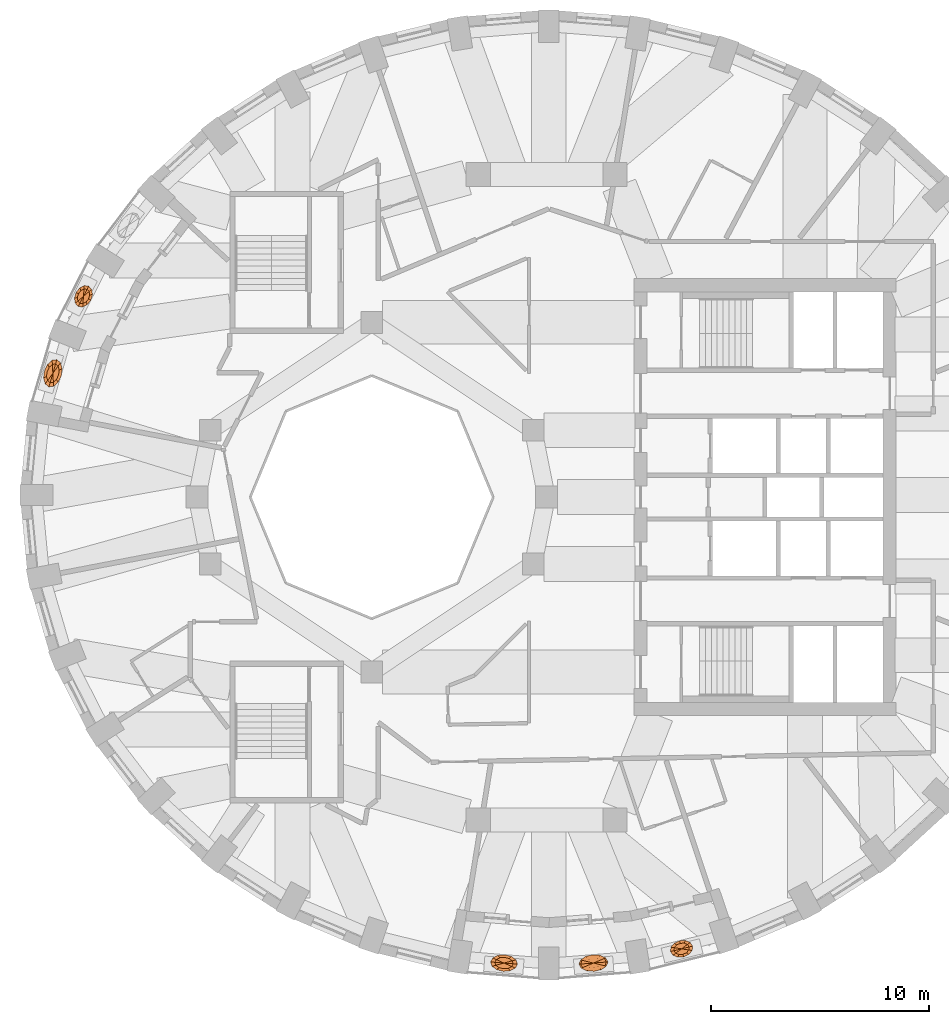
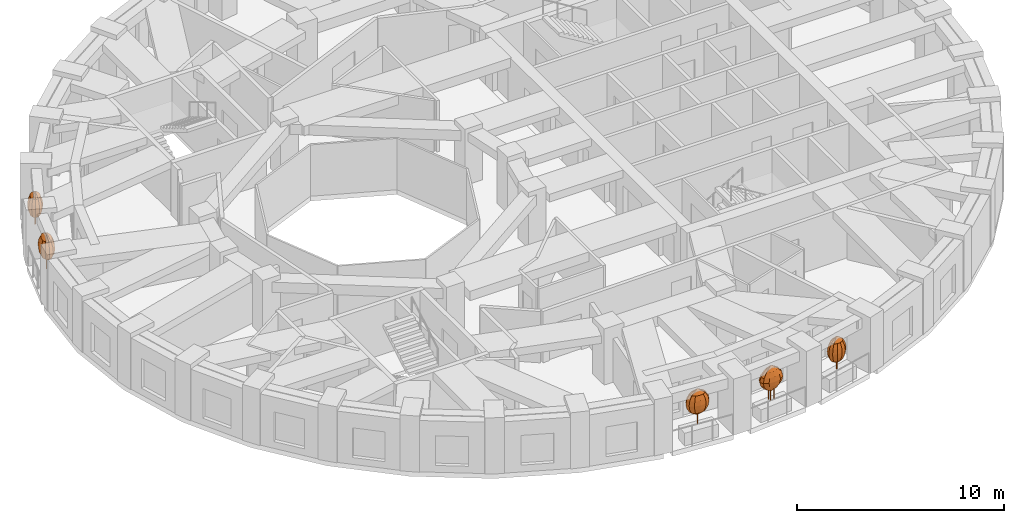
# One storey, part 10 of 11: 5 geographic elements.
"""IFC4 building model written with IfcOpenShell, lengths in metres."""

from ifc_helpers import new_model, si_unit, direction, frame, origin, place, context, subcontext, project, spatial, faceted_brep, material, constituent, constituent_set, type_object, element, save


model = new_model("IFC4")

# Units and contexts
model_context = context("Model", 3, precision=1e-05, world=origin(), true_north=direction((0.0, 1.0)))
body_context = subcontext(model_context, "Body", "Model", "MODEL_VIEW")
ifc_project = project(units=[si_unit("LENGTHUNIT", "METRE"), si_unit("AREAUNIT", "SQUARE_METRE"), si_unit("VOLUMEUNIT", "CUBIC_METRE"), si_unit("PLANEANGLEUNIT", "RADIAN"), si_unit("MASSUNIT", "GRAM", prefix="KILO")], contexts=[model_context])

# Site, building, storey
site_placement = place(None, origin())
site = spatial("IfcSite", under=ifc_project, at=site_placement, CompositionType="ELEMENT")
building_placement = place(site_placement, origin())
building = spatial("IfcBuilding", under=site, at=building_placement, Name="Taillehof Tower", CompositionType="ELEMENT")
storey_placement = place(building_placement, frame((0.0, 0.0, 155.0)))
storey = spatial("IfcBuildingStorey", under=building, at=storey_placement, Name="L43", CompositionType="ELEMENT", Elevation=155.0)

# Geographic elements
ifc_material_1 = material(Name="Tree bark", Category="timber")
ifc_constituent_1 = constituent(ifc_material_1, Name="Trunk", Category="timber")
ifc_material_2 = material(Name="Tree foliage")
ifc_constituent_2 = constituent(ifc_material_2, Name="Crown")
ifc_constituent_set_1 = constituent_set(constituents=[ifc_constituent_1, ifc_constituent_2], Name="Tree TR1 Columnar hornbeam")
geographic_element_type_1 = type_object("IfcGeographicElementType", Name="Tree TR1 Columnar hornbeam", PredefinedType="USERDEFINED", material=ifc_constituent_set_1)
geographic_element_1_placement = place(storey_placement, frame((-1.947265625, -21.32421875, 0.75)))
element("IfcGeographicElement", 1, at=geographic_element_1_placement, inside=storey, type_object=geographic_element_type_1, Name="Tree TR1 Columnar hornbeam", ObjectType="TREE", PredefinedType="USERDEFINED", context=body_context, shape_type="Brep", body=[
    faceted_brep([(0.030029296875, 0.0, 0.0), (0.021240234375, 0.021240234375, 0.0), (0.021240234375, 0.021240234375, 1.092529296875), (0.030029296875, 0.0, 1.092529296875), (0.0, 0.030029296875, 0.0), (0.0, 0.030029296875, 1.092529296875), (-0.021240234375, 0.021240234375, 0.0), (-0.021240234375, 0.021240234375, 1.092529296875), (-0.030029296875, 0.0, 0.0), (-0.030029296875, 0.0, 1.092529296875), (-0.021240234375, -0.021240234375, 0.0), (-0.021240234375, -0.021240234375, 1.092529296875), (0.0, -0.030029296875, 0.0), (0.0, -0.030029296875, 1.092529296875), (0.021240234375, -0.021240234375, 0.0), (0.021240234375, -0.021240234375, 1.092529296875)], [[[0, 1, 2, 3]], [[1, 4, 5, 2]], [[4, 6, 7, 5]], [[6, 8, 9, 7]], [[8, 10, 11, 9]], [[10, 12, 13, 11]], [[12, 14, 15, 13]], [[14, 0, 3, 15]], [[14, 12, 10, 8, 6, 4, 1, 0]], [[3, 2, 5, 7, 9, 11, 13, 15]]]),
    faceted_brep([(0.0, 0.0, 0.550048828125), (0.37451171875, 0.10009765625, 0.808349609375), (0.42041015625, -0.03369140625, 0.808349609375), (0.22802734375, 0.207275390625, 0.808349609375), (0.020751953125, 0.2587890625, 0.808349609375), (-0.1923828125, 0.240966796875, 0.808349609375), (-0.353759765625, 0.158447265625, 0.808349609375), (-0.42041015625, 0.03369140625, 0.808349609375), (-0.37451171875, -0.10009765625, 0.808349609375), (-0.22802734375, -0.207275390625, 0.808349609375), (-0.020751953125, -0.2587890625, 0.808349609375), (0.1923828125, -0.240966796875, 0.808349609375), (0.353759765625, -0.158447265625, 0.808349609375), (0.506591796875, 0.135498046875, 1.066650390625), (0.568603515625, -0.04541015625, 1.066650390625), (0.30859375, 0.2802734375, 1.066650390625), (0.028076171875, 0.35009765625, 1.066650390625), (-0.260009765625, 0.325927734375, 1.066650390625), (-0.478515625, 0.21435546875, 1.066650390625), (-0.568603515625, 0.04541015625, 1.066650390625), (-0.506591796875, -0.135498046875, 1.066650390625), (-0.30859375, -0.2802734375, 1.066650390625), (-0.028076171875, -0.35009765625, 1.066650390625), (0.260009765625, -0.325927734375, 1.066650390625), (0.478515625, -0.21435546875, 1.066650390625), (0.54833984375, 0.146728515625, 1.324951171875), (0.615478515625, -0.04931640625, 1.324951171875), (0.333984375, 0.303466796875, 1.324951171875), (0.0302734375, 0.37890625, 1.324951171875), (-0.281494140625, 0.352783203125, 1.324951171875), (-0.517822265625, 0.232177734375, 1.324951171875), (-0.615478515625, 0.04931640625, 1.324951171875), (-0.54833984375, -0.146728515625, 1.324951171875), (-0.333984375, -0.303466796875, 1.324951171875), (-0.0302734375, -0.37890625, 1.324951171875), (0.281494140625, -0.352783203125, 1.324951171875), (0.517822265625, -0.232177734375, 1.324951171875), (0.506591796875, 0.135498046875, 1.583251953125), (0.568603515625, -0.04541015625, 1.583251953125), (0.30859375, 0.2802734375, 1.583251953125), (0.028076171875, 0.35009765625, 1.583251953125), (-0.260009765625, 0.325927734375, 1.583251953125), (-0.478515625, 0.21435546875, 1.583251953125), (-0.568603515625, 0.04541015625, 1.583251953125), (-0.506591796875, -0.135498046875, 1.583251953125), (-0.30859375, -0.2802734375, 1.583251953125), (-0.028076171875, -0.35009765625, 1.583251953125), (0.260009765625, -0.325927734375, 1.583251953125), (0.478515625, -0.21435546875, 1.583251953125), (0.37451171875, 0.10009765625, 1.841552734375), (0.42041015625, -0.03369140625, 1.841552734375), (0.22802734375, 0.207275390625, 1.841552734375), (0.020751953125, 0.2587890625, 1.841552734375), (-0.1923828125, 0.240966796875, 1.841552734375), (-0.353759765625, 0.158447265625, 1.841552734375), (-0.42041015625, 0.03369140625, 1.841552734375), (-0.37451171875, -0.10009765625, 1.841552734375), (-0.22802734375, -0.207275390625, 1.841552734375), (-0.020751953125, -0.2587890625, 1.841552734375), (0.1923828125, -0.240966796875, 1.841552734375), (0.353759765625, -0.158447265625, 1.841552734375), (0.0, 0.0, 2.10009765625)], [[[0, 1, 2]], [[0, 3, 1]], [[0, 4, 3]], [[0, 5, 4]], [[0, 6, 5]], [[0, 7, 6]], [[0, 8, 7]], [[0, 9, 8]], [[0, 10, 9]], [[0, 11, 10]], [[0, 12, 11]], [[0, 2, 12]], [[2, 1, 13, 14]], [[1, 3, 15, 13]], [[3, 4, 16, 15]], [[4, 5, 17, 16]], [[5, 6, 18, 17]], [[6, 7, 19, 18]], [[7, 8, 20, 19]], [[8, 9, 21, 20]], [[9, 10, 22, 21]], [[10, 11, 23, 22]], [[11, 12, 24, 23]], [[12, 2, 14, 24]], [[14, 13, 25, 26]], [[13, 15, 27, 25]], [[15, 16, 28, 27]], [[16, 17, 29, 28]], [[17, 18, 30, 29]], [[18, 19, 31, 30]], [[19, 20, 32, 31]], [[20, 21, 33, 32]], [[21, 22, 34, 33]], [[22, 23, 35, 34]], [[23, 24, 36, 35]], [[24, 14, 26, 36]], [[26, 25, 37, 38]], [[25, 27, 39, 37]], [[27, 28, 40, 39]], [[28, 29, 41, 40]], [[29, 30, 42, 41]], [[30, 31, 43, 42]], [[31, 32, 44, 43]], [[32, 33, 45, 44]], [[33, 34, 46, 45]], [[34, 35, 47, 46]], [[35, 36, 48, 47]], [[36, 26, 38, 48]], [[38, 37, 49, 50]], [[37, 39, 51, 49]], [[39, 40, 52, 51]], [[40, 41, 53, 52]], [[41, 42, 54, 53]], [[42, 43, 55, 54]], [[43, 44, 56, 55]], [[44, 45, 57, 56]], [[45, 46, 58, 57]], [[46, 47, 59, 58]], [[47, 48, 60, 59]], [[48, 38, 50, 60]], [[50, 49, 61]], [[49, 51, 61]], [[51, 52, 61]], [[52, 53, 61]], [[53, 54, 61]], [[54, 55, 61]], [[55, 56, 61]], [[56, 57, 61]], [[57, 58, 61]], [[58, 59, 61]], [[59, 60, 61]], [[60, 50, 61]]]),
])
geographic_element_2_placement = place(storey_placement, frame((-22.59619140625, 5.668212890625, 0.75)))
element("IfcGeographicElement", 2, at=geographic_element_2_placement, inside=storey, type_object=geographic_element_type_1, Name="Tree TR1 Columnar hornbeam", ObjectType="TREE", PredefinedType="USERDEFINED", context=body_context, shape_type="Brep", body=[
    faceted_brep([(0.030029296875, 0.0, 0.0), (0.021240234375, 0.021240234375, 0.0), (0.021240234375, 0.021240234375, 1.092529296875), (0.030029296875, 0.0, 1.092529296875), (0.0, 0.030029296875, 0.0), (0.0, 0.030029296875, 1.092529296875), (-0.021240234375, 0.021240234375, 0.0), (-0.021240234375, 0.021240234375, 1.092529296875), (-0.030029296875, 0.0, 0.0), (-0.030029296875, 0.0, 1.092529296875), (-0.021240234375, -0.021240234375, 0.0), (-0.021240234375, -0.021240234375, 1.092529296875), (0.0, -0.030029296875, 0.0), (0.0, -0.030029296875, 1.092529296875), (0.021240234375, -0.021240234375, 0.0), (0.021240234375, -0.021240234375, 1.092529296875)], [[[0, 1, 2, 3]], [[1, 4, 5, 2]], [[4, 6, 7, 5]], [[6, 8, 9, 7]], [[8, 10, 11, 9]], [[10, 12, 13, 11]], [[12, 14, 15, 13]], [[14, 0, 3, 15]], [[14, 12, 10, 8, 6, 4, 1, 0]], [[3, 2, 5, 7, 9, 11, 13, 15]]]),
    faceted_brep([(0.0, 0.0, 0.550048828125), (0.02294921875, -0.407470703125, 0.808349609375), (-0.124755859375, -0.426025390625, 0.808349609375), (0.16455078125, -0.279541015625, 0.808349609375), (0.26220703125, -0.076904296875, 0.808349609375), (0.28955078125, 0.146484375, 0.808349609375), (0.2392578125, 0.33056640625, 0.808349609375), (0.124755859375, 0.426025390625, 0.808349609375), (-0.02294921875, 0.407470703125, 0.808349609375), (-0.16455078125, 0.279541015625, 0.808349609375), (-0.26220703125, 0.076904296875, 0.808349609375), (-0.28955078125, -0.146484375, 0.808349609375), (-0.2392578125, -0.33056640625, 0.808349609375), (0.03125, -0.551025390625, 1.066650390625), (-0.168701171875, -0.576416015625, 1.066650390625), (0.22265625, -0.378173828125, 1.066650390625), (0.354736328125, -0.10400390625, 1.066650390625), (0.3916015625, 0.1982421875, 1.066650390625), (0.323486328125, 0.447265625, 1.066650390625), (0.168701171875, 0.576416015625, 1.066650390625), (-0.03125, 0.551025390625, 1.066650390625), (-0.22265625, 0.378173828125, 1.066650390625), (-0.354736328125, 0.10400390625, 1.066650390625), (-0.3916015625, -0.1982421875, 1.066650390625), (-0.323486328125, -0.447265625, 1.066650390625), (0.03369140625, -0.596435546875, 1.324951171875), (-0.1826171875, -0.623779296875, 1.324951171875), (0.2412109375, -0.4091796875, 1.324951171875), (0.3837890625, -0.112548828125, 1.324951171875), (0.423828125, 0.214599609375, 1.324951171875), (0.35009765625, 0.48388671875, 1.324951171875), (0.1826171875, 0.623779296875, 1.324951171875), (-0.03369140625, 0.596435546875, 1.324951171875), (-0.2412109375, 0.4091796875, 1.324951171875), (-0.3837890625, 0.112548828125, 1.324951171875), (-0.423828125, -0.214599609375, 1.324951171875), (-0.35009765625, -0.48388671875, 1.324951171875), (0.03125, -0.551025390625, 1.583251953125), (-0.168701171875, -0.576416015625, 1.583251953125), (0.22265625, -0.378173828125, 1.583251953125), (0.354736328125, -0.10400390625, 1.583251953125), (0.3916015625, 0.1982421875, 1.583251953125), (0.323486328125, 0.447265625, 1.583251953125), (0.168701171875, 0.576416015625, 1.583251953125), (-0.03125, 0.551025390625, 1.583251953125), (-0.22265625, 0.378173828125, 1.583251953125), (-0.354736328125, 0.10400390625, 1.583251953125), (-0.3916015625, -0.1982421875, 1.583251953125), (-0.323486328125, -0.447265625, 1.583251953125), (0.02294921875, -0.407470703125, 1.841552734375), (-0.124755859375, -0.426025390625, 1.841552734375), (0.16455078125, -0.279541015625, 1.841552734375), (0.26220703125, -0.076904296875, 1.841552734375), (0.28955078125, 0.146484375, 1.841552734375), (0.2392578125, 0.33056640625, 1.841552734375), (0.124755859375, 0.426025390625, 1.841552734375), (-0.02294921875, 0.407470703125, 1.841552734375), (-0.16455078125, 0.279541015625, 1.841552734375), (-0.26220703125, 0.076904296875, 1.841552734375), (-0.28955078125, -0.146484375, 1.841552734375), (-0.2392578125, -0.33056640625, 1.841552734375), (0.0, 0.0, 2.10009765625)], [[[0, 1, 2]], [[0, 3, 1]], [[0, 4, 3]], [[0, 5, 4]], [[0, 6, 5]], [[0, 7, 6]], [[0, 8, 7]], [[0, 9, 8]], [[0, 10, 9]], [[0, 11, 10]], [[0, 12, 11]], [[0, 2, 12]], [[2, 1, 13, 14]], [[1, 3, 15, 13]], [[3, 4, 16, 15]], [[4, 5, 17, 16]], [[5, 6, 18, 17]], [[6, 7, 19, 18]], [[7, 8, 20, 19]], [[8, 9, 21, 20]], [[9, 10, 22, 21]], [[10, 11, 23, 22]], [[11, 12, 24, 23]], [[12, 2, 14, 24]], [[14, 13, 25, 26]], [[13, 15, 27, 25]], [[15, 16, 28, 27]], [[16, 17, 29, 28]], [[17, 18, 30, 29]], [[18, 19, 31, 30]], [[19, 20, 32, 31]], [[20, 21, 33, 32]], [[21, 22, 34, 33]], [[22, 23, 35, 34]], [[23, 24, 36, 35]], [[24, 14, 26, 36]], [[26, 25, 37, 38]], [[25, 27, 39, 37]], [[27, 28, 40, 39]], [[28, 29, 41, 40]], [[29, 30, 42, 41]], [[30, 31, 43, 42]], [[31, 32, 44, 43]], [[32, 33, 45, 44]], [[33, 34, 46, 45]], [[34, 35, 47, 46]], [[35, 36, 48, 47]], [[36, 26, 38, 48]], [[38, 37, 49, 50]], [[37, 39, 51, 49]], [[39, 40, 52, 51]], [[40, 41, 53, 52]], [[41, 42, 54, 53]], [[42, 43, 55, 54]], [[43, 44, 56, 55]], [[44, 45, 57, 56]], [[45, 46, 58, 57]], [[46, 47, 59, 58]], [[47, 48, 60, 59]], [[48, 38, 50, 60]], [[50, 49, 61]], [[49, 51, 61]], [[51, 52, 61]], [[52, 53, 61]], [[53, 54, 61]], [[54, 55, 61]], [[55, 56, 61]], [[56, 57, 61]], [[57, 58, 61]], [[58, 59, 61]], [[59, 60, 61]], [[60, 50, 61]]]),
])
ifc_material_3 = material(Name="Tree bark", Category="timber")
ifc_constituent_3 = constituent(ifc_material_3, Name="Trunk", Category="timber")
ifc_material_4 = material(Name="Tree foliage")
ifc_constituent_4 = constituent(ifc_material_4, Name="Crown")
ifc_constituent_set_2 = constituent_set(constituents=[ifc_constituent_3, ifc_constituent_4], Name="Tree TR2 Fastigiate yew")
geographic_element_type_2 = type_object("IfcGeographicElementType", Name="Tree TR2 Fastigiate yew", PredefinedType="USERDEFINED", material=ifc_constituent_set_2)
geographic_element_3_placement = place(storey_placement, frame((6.179443359375, -20.673583984375, 0.75)))
element("IfcGeographicElement", 3, at=geographic_element_3_placement, inside=storey, type_object=geographic_element_type_2, Name="Tree TR2 Fastigiate yew", ObjectType="TREE", PredefinedType="USERDEFINED", context=body_context, shape_type="Brep", body=[
    faceted_brep([(0.034912109375, 0.0, 0.0), (0.024658203125, 0.024658203125, 0.0), (0.024658203125, 0.024658203125, 0.909912109375), (0.034912109375, 0.0, 0.909912109375), (0.0, 0.034912109375, 0.0), (0.0, 0.034912109375, 0.909912109375), (-0.024658203125, 0.024658203125, 0.0), (-0.024658203125, 0.024658203125, 0.909912109375), (-0.034912109375, 0.0, 0.0), (-0.034912109375, 0.0, 0.909912109375), (-0.024658203125, -0.024658203125, 0.0), (-0.024658203125, -0.024658203125, 0.909912109375), (0.0, -0.034912109375, 0.0), (0.0, -0.034912109375, 0.909912109375), (0.024658203125, -0.024658203125, 0.0), (0.024658203125, -0.024658203125, 0.909912109375)], [[[0, 1, 2, 3]], [[1, 4, 5, 2]], [[4, 6, 7, 5]], [[6, 8, 9, 7]], [[8, 10, 11, 9]], [[10, 12, 13, 11]], [[12, 14, 15, 13]], [[14, 0, 3, 15]], [[14, 12, 10, 8, 6, 4, 1, 0]], [[3, 2, 5, 7, 9, 11, 13, 15]]]),
    faceted_brep([(0.0, 0.0, 0.35009765625), (0.269287109375, 0.19970703125, 0.61669921875), (0.3466796875, 0.0849609375, 0.61669921875), (0.119873046875, 0.2607421875, 0.61669921875), (-0.061767578125, 0.252197265625, 0.61669921875), (-0.226806640625, 0.17578125, 0.61669921875), (-0.3310546875, 0.052490234375, 0.61669921875), (-0.3466796875, -0.0849609375, 0.61669921875), (-0.269287109375, -0.19970703125, 0.61669921875), (-0.119873046875, -0.2607421875, 0.61669921875), (0.061767578125, -0.252197265625, 0.61669921875), (0.226806640625, -0.17578125, 0.61669921875), (0.3310546875, -0.052490234375, 0.61669921875), (0.3642578125, 0.27001953125, 0.88330078125), (0.468994140625, 0.114990234375, 0.88330078125), (0.162109375, 0.352783203125, 0.88330078125), (-0.08349609375, 0.341064453125, 0.88330078125), (-0.306884765625, 0.23779296875, 0.88330078125), (-0.44775390625, 0.071044921875, 0.88330078125), (-0.468994140625, -0.114990234375, 0.88330078125), (-0.3642578125, -0.27001953125, 0.88330078125), (-0.162109375, -0.352783203125, 0.88330078125), (0.08349609375, -0.341064453125, 0.88330078125), (0.306884765625, -0.23779296875, 0.88330078125), (0.44775390625, -0.071044921875, 0.88330078125), (0.394287109375, 0.292236328125, 1.14990234375), (0.507568359375, 0.12451171875, 1.14990234375), (0.17529296875, 0.3818359375, 1.14990234375), (-0.090576171875, 0.369140625, 1.14990234375), (-0.33203125, 0.25732421875, 1.14990234375), (-0.484619140625, 0.076904296875, 1.14990234375), (-0.507568359375, -0.12451171875, 1.14990234375), (-0.394287109375, -0.292236328125, 1.14990234375), (-0.17529296875, -0.3818359375, 1.14990234375), (0.090576171875, -0.369140625, 1.14990234375), (0.33203125, -0.25732421875, 1.14990234375), (0.484619140625, -0.076904296875, 1.14990234375), (0.3642578125, 0.27001953125, 1.416748046875), (0.468994140625, 0.114990234375, 1.416748046875), (0.162109375, 0.352783203125, 1.416748046875), (-0.08349609375, 0.341064453125, 1.416748046875), (-0.306884765625, 0.23779296875, 1.416748046875), (-0.44775390625, 0.071044921875, 1.416748046875), (-0.468994140625, -0.114990234375, 1.416748046875), (-0.3642578125, -0.27001953125, 1.416748046875), (-0.162109375, -0.352783203125, 1.416748046875), (0.08349609375, -0.341064453125, 1.416748046875), (0.306884765625, -0.23779296875, 1.416748046875), (0.44775390625, -0.071044921875, 1.416748046875), (0.269287109375, 0.19970703125, 1.683349609375), (0.3466796875, 0.0849609375, 1.683349609375), (0.119873046875, 0.2607421875, 1.683349609375), (-0.061767578125, 0.252197265625, 1.683349609375), (-0.226806640625, 0.17578125, 1.683349609375), (-0.3310546875, 0.052490234375, 1.683349609375), (-0.3466796875, -0.0849609375, 1.683349609375), (-0.269287109375, -0.19970703125, 1.683349609375), (-0.119873046875, -0.2607421875, 1.683349609375), (0.061767578125, -0.252197265625, 1.683349609375), (0.226806640625, -0.17578125, 1.683349609375), (0.3310546875, -0.052490234375, 1.683349609375), (0.0, 0.0, 1.949951171875)], [[[0, 1, 2]], [[0, 3, 1]], [[0, 4, 3]], [[0, 5, 4]], [[0, 6, 5]], [[0, 7, 6]], [[0, 8, 7]], [[0, 9, 8]], [[0, 10, 9]], [[0, 11, 10]], [[0, 12, 11]], [[0, 2, 12]], [[2, 1, 13, 14]], [[1, 3, 15, 13]], [[3, 4, 16, 15]], [[4, 5, 17, 16]], [[5, 6, 18, 17]], [[6, 7, 19, 18]], [[7, 8, 20, 19]], [[8, 9, 21, 20]], [[9, 10, 22, 21]], [[10, 11, 23, 22]], [[11, 12, 24, 23]], [[12, 2, 14, 24]], [[14, 13, 25, 26]], [[13, 15, 27, 25]], [[15, 16, 28, 27]], [[16, 17, 29, 28]], [[17, 18, 30, 29]], [[18, 19, 31, 30]], [[19, 20, 32, 31]], [[20, 21, 33, 32]], [[21, 22, 34, 33]], [[22, 23, 35, 34]], [[23, 24, 36, 35]], [[24, 14, 26, 36]], [[26, 25, 37, 38]], [[25, 27, 39, 37]], [[27, 28, 40, 39]], [[28, 29, 41, 40]], [[29, 30, 42, 41]], [[30, 31, 43, 42]], [[31, 32, 44, 43]], [[32, 33, 45, 44]], [[33, 34, 46, 45]], [[34, 35, 47, 46]], [[35, 36, 48, 47]], [[36, 26, 38, 48]], [[38, 37, 49, 50]], [[37, 39, 51, 49]], [[39, 40, 52, 51]], [[40, 41, 53, 52]], [[41, 42, 54, 53]], [[42, 43, 55, 54]], [[43, 44, 56, 55]], [[44, 45, 57, 56]], [[45, 46, 58, 57]], [[46, 47, 59, 58]], [[47, 48, 60, 59]], [[48, 38, 50, 60]], [[50, 49, 61]], [[49, 51, 61]], [[51, 52, 61]], [[52, 53, 61]], [[53, 54, 61]], [[54, 55, 61]], [[55, 56, 61]], [[56, 57, 61]], [[57, 58, 61]], [[58, 59, 61]], [[59, 60, 61]], [[60, 50, 61]]]),
])
geographic_element_4_placement = place(storey_placement, frame((-21.1943359375, 9.19189453125, 0.75)))
element("IfcGeographicElement", 4, at=geographic_element_4_placement, inside=storey, type_object=geographic_element_type_2, Name="Tree TR2 Fastigiate yew", ObjectType="TREE", PredefinedType="USERDEFINED", context=body_context, shape_type="Brep", body=[
    faceted_brep([(0.034912109375, 0.0, 0.0), (0.024658203125, 0.024658203125, 0.0), (0.024658203125, 0.024658203125, 0.909912109375), (0.034912109375, 0.0, 0.909912109375), (0.0, 0.034912109375, 0.0), (0.0, 0.034912109375, 0.909912109375), (-0.024658203125, 0.024658203125, 0.0), (-0.024658203125, 0.024658203125, 0.909912109375), (-0.034912109375, 0.0, 0.0), (-0.034912109375, 0.0, 0.909912109375), (-0.024658203125, -0.024658203125, 0.0), (-0.024658203125, -0.024658203125, 0.909912109375), (0.0, -0.034912109375, 0.0), (0.0, -0.034912109375, 0.909912109375), (0.024658203125, -0.024658203125, 0.0), (0.024658203125, -0.024658203125, 0.909912109375)], [[[0, 1, 2, 3]], [[1, 4, 5, 2]], [[4, 6, 7, 5]], [[6, 8, 9, 7]], [[8, 10, 11, 9]], [[10, 12, 13, 11]], [[12, 14, 15, 13]], [[14, 0, 3, 15]], [[14, 12, 10, 8, 6, 4, 1, 0]], [[3, 2, 5, 7, 9, 11, 13, 15]]]),
    faceted_brep([(0.0, 0.0, 0.35009765625), (-0.024658203125, -0.334228515625, 0.61669921875), (-0.162109375, -0.31787109375, 0.61669921875), (0.119140625, -0.260986328125, 0.61669921875), (0.231201171875, -0.117919921875, 0.61669921875), (0.28125, 0.056884765625, 0.61669921875), (0.255859375, 0.21630859375, 0.61669921875), (0.162109375, 0.31787109375, 0.61669921875), (0.024658203125, 0.334228515625, 0.61669921875), (-0.119140625, 0.260986328125, 0.61669921875), (-0.231201171875, 0.117919921875, 0.61669921875), (-0.28125, -0.056884765625, 0.61669921875), (-0.255859375, -0.21630859375, 0.61669921875), (-0.033447265625, -0.4521484375, 0.88330078125), (-0.21923828125, -0.43017578125, 0.88330078125), (0.161376953125, -0.35302734375, 0.88330078125), (0.312744140625, -0.159423828125, 0.88330078125), (0.380615234375, 0.076904296875, 0.88330078125), (0.34619140625, 0.292724609375, 0.88330078125), (0.21923828125, 0.43017578125, 0.88330078125), (0.033447265625, 0.4521484375, 0.88330078125), (-0.161376953125, 0.35302734375, 0.88330078125), (-0.312744140625, 0.159423828125, 0.88330078125), (-0.380615234375, -0.076904296875, 0.88330078125), (-0.34619140625, -0.292724609375, 0.88330078125), (-0.0361328125, -0.489501953125, 1.14990234375), (-0.2373046875, -0.465576171875, 1.14990234375), (0.174560546875, -0.38232421875, 1.14990234375), (0.338623046875, -0.172607421875, 1.14990234375), (0.411865234375, 0.083251953125, 1.14990234375), (0.374755859375, 0.31689453125, 1.14990234375), (0.2373046875, 0.465576171875, 1.14990234375), (0.0361328125, 0.489501953125, 1.14990234375), (-0.174560546875, 0.38232421875, 1.14990234375), (-0.338623046875, 0.172607421875, 1.14990234375), (-0.411865234375, -0.083251953125, 1.14990234375), (-0.374755859375, -0.31689453125, 1.14990234375), (-0.033447265625, -0.4521484375, 1.416748046875), (-0.21923828125, -0.43017578125, 1.416748046875), (0.161376953125, -0.35302734375, 1.416748046875), (0.312744140625, -0.159423828125, 1.416748046875), (0.380615234375, 0.076904296875, 1.416748046875), (0.34619140625, 0.292724609375, 1.416748046875), (0.21923828125, 0.43017578125, 1.416748046875), (0.033447265625, 0.4521484375, 1.416748046875), (-0.161376953125, 0.35302734375, 1.416748046875), (-0.312744140625, 0.159423828125, 1.416748046875), (-0.380615234375, -0.076904296875, 1.416748046875), (-0.34619140625, -0.292724609375, 1.416748046875), (-0.024658203125, -0.334228515625, 1.683349609375), (-0.162109375, -0.31787109375, 1.683349609375), (0.119140625, -0.260986328125, 1.683349609375), (0.231201171875, -0.117919921875, 1.683349609375), (0.28125, 0.056884765625, 1.683349609375), (0.255859375, 0.21630859375, 1.683349609375), (0.162109375, 0.31787109375, 1.683349609375), (0.024658203125, 0.334228515625, 1.683349609375), (-0.119140625, 0.260986328125, 1.683349609375), (-0.231201171875, 0.117919921875, 1.683349609375), (-0.28125, -0.056884765625, 1.683349609375), (-0.255859375, -0.21630859375, 1.683349609375), (0.0, 0.0, 1.949951171875)], [[[0, 1, 2]], [[0, 3, 1]], [[0, 4, 3]], [[0, 5, 4]], [[0, 6, 5]], [[0, 7, 6]], [[0, 8, 7]], [[0, 9, 8]], [[0, 10, 9]], [[0, 11, 10]], [[0, 12, 11]], [[0, 2, 12]], [[2, 1, 13, 14]], [[1, 3, 15, 13]], [[3, 4, 16, 15]], [[4, 5, 17, 16]], [[5, 6, 18, 17]], [[6, 7, 19, 18]], [[7, 8, 20, 19]], [[8, 9, 21, 20]], [[9, 10, 22, 21]], [[10, 11, 23, 22]], [[11, 12, 24, 23]], [[12, 2, 14, 24]], [[14, 13, 25, 26]], [[13, 15, 27, 25]], [[15, 16, 28, 27]], [[16, 17, 29, 28]], [[17, 18, 30, 29]], [[18, 19, 31, 30]], [[19, 20, 32, 31]], [[20, 21, 33, 32]], [[21, 22, 34, 33]], [[22, 23, 35, 34]], [[23, 24, 36, 35]], [[24, 14, 26, 36]], [[26, 25, 37, 38]], [[25, 27, 39, 37]], [[27, 28, 40, 39]], [[28, 29, 41, 40]], [[29, 30, 42, 41]], [[30, 31, 43, 42]], [[31, 32, 44, 43]], [[32, 33, 45, 44]], [[33, 34, 46, 45]], [[34, 35, 47, 46]], [[35, 36, 48, 47]], [[36, 26, 38, 48]], [[38, 37, 49, 50]], [[37, 39, 51, 49]], [[39, 40, 52, 51]], [[40, 41, 53, 52]], [[41, 42, 54, 53]], [[42, 43, 55, 54]], [[43, 44, 56, 55]], [[44, 45, 57, 56]], [[45, 46, 58, 57]], [[46, 47, 59, 58]], [[47, 48, 60, 59]], [[48, 38, 50, 60]], [[50, 49, 61]], [[49, 51, 61]], [[51, 52, 61]], [[52, 53, 61]], [[53, 54, 61]], [[54, 55, 61]], [[55, 56, 61]], [[56, 57, 61]], [[57, 58, 61]], [[58, 59, 61]], [[59, 60, 61]], [[60, 50, 61]]]),
])
ifc_material_5 = material(Name="Tree bark", Category="timber")
ifc_constituent_5 = constituent(ifc_material_5, Name="Trunk", Category="timber")
ifc_material_6 = material(Name="Tree foliage")
ifc_constituent_6 = constituent(ifc_material_6, Name="Crown")
ifc_constituent_set_3 = constituent_set(constituents=[ifc_constituent_5, ifc_constituent_6], Name="Tree TR3 Multi-stem serviceberry")
geographic_element_type_3 = type_object("IfcGeographicElementType", Name="Tree TR3 Multi-stem serviceberry", PredefinedType="USERDEFINED", material=ifc_constituent_set_3)
geographic_element_5_placement = place(storey_placement, frame((2.147216796875, -21.32421875, 0.75)))
element("IfcGeographicElement", 5, at=geographic_element_5_placement, inside=storey, type_object=geographic_element_type_3, Name="Tree TR3 Multi-stem serviceberry", ObjectType="TREE", PredefinedType="USERDEFINED", context=body_context, shape_type="Brep", body=[
    faceted_brep([(0.195068359375, 0.0, 0.0), (0.186767578125, 0.0205078125, 0.0), (0.186767578125, 0.0205078125, 1.04248046875), (0.195068359375, 0.0, 1.04248046875), (0.166259765625, 0.02880859375, 0.0), (0.166259765625, 0.02880859375, 1.04248046875), (0.145751953125, 0.0205078125, 0.0), (0.145751953125, 0.0205078125, 1.04248046875), (0.137451171875, 0.0, 0.0), (0.137451171875, 0.0, 1.04248046875), (0.145751953125, -0.0205078125, 0.0), (0.145751953125, -0.0205078125, 1.04248046875), (0.166259765625, -0.02880859375, 0.0), (0.166259765625, -0.02880859375, 1.04248046875), (0.186767578125, -0.0205078125, 0.0), (0.186767578125, -0.0205078125, 1.04248046875)], [[[0, 1, 2, 3]], [[1, 4, 5, 2]], [[4, 6, 7, 5]], [[6, 8, 9, 7]], [[8, 10, 11, 9]], [[10, 12, 13, 11]], [[12, 14, 15, 13]], [[14, 0, 3, 15]], [[14, 12, 10, 8, 6, 4, 1, 0]], [[3, 2, 5, 7, 9, 11, 13, 15]]]),
    faceted_brep([(-0.05419921875, 0.082275390625, 0.0), (-0.062744140625, 0.102783203125, 0.0), (-0.062744140625, 0.102783203125, 1.04248046875), (-0.05419921875, 0.082275390625, 1.04248046875), (-0.0830078125, 0.111083984375, 0.0), (-0.0830078125, 0.111083984375, 1.04248046875), (-0.103515625, 0.102783203125, 0.0), (-0.103515625, 0.102783203125, 1.04248046875), (-0.112060546875, 0.082275390625, 0.0), (-0.112060546875, 0.082275390625, 1.04248046875), (-0.103515625, 0.061767578125, 0.0), (-0.103515625, 0.061767578125, 1.04248046875), (-0.0830078125, 0.053466796875, 0.0), (-0.0830078125, 0.053466796875, 1.04248046875), (-0.062744140625, 0.061767578125, 0.0), (-0.062744140625, 0.061767578125, 1.04248046875)], [[[0, 1, 2, 3]], [[1, 4, 5, 2]], [[4, 6, 7, 5]], [[6, 8, 9, 7]], [[8, 10, 11, 9]], [[10, 12, 13, 11]], [[12, 14, 15, 13]], [[14, 0, 3, 15]], [[14, 12, 10, 8, 6, 4, 1, 0]], [[3, 2, 5, 7, 9, 11, 13, 15]]]),
    faceted_brep([(-0.05419921875, -0.082275390625, 0.0), (-0.062744140625, -0.061767578125, 0.0), (-0.062744140625, -0.061767578125, 1.04248046875), (-0.05419921875, -0.082275390625, 1.04248046875), (-0.0830078125, -0.053466796875, 0.0), (-0.0830078125, -0.053466796875, 1.04248046875), (-0.103515625, -0.061767578125, 0.0), (-0.103515625, -0.061767578125, 1.04248046875), (-0.112060546875, -0.082275390625, 0.0), (-0.112060546875, -0.082275390625, 1.04248046875), (-0.103515625, -0.102783203125, 0.0), (-0.103515625, -0.102783203125, 1.04248046875), (-0.0830078125, -0.111083984375, 0.0), (-0.0830078125, -0.111083984375, 1.04248046875), (-0.062744140625, -0.102783203125, 0.0), (-0.062744140625, -0.102783203125, 1.04248046875)], [[[0, 1, 2, 3]], [[1, 4, 5, 2]], [[4, 6, 7, 5]], [[6, 8, 9, 7]], [[8, 10, 11, 9]], [[10, 12, 13, 11]], [[12, 14, 15, 13]], [[14, 0, 3, 15]], [[14, 12, 10, 8, 6, 4, 1, 0]], [[3, 2, 5, 7, 9, 11, 13, 15]]]),
    faceted_brep([(0.0, 0.0, 0.5), (0.321044921875, 0.13525390625, 0.75830078125), (0.380615234375, 0.030517578125, 0.75830078125), (0.17529296875, 0.20361328125, 0.75830078125), (-0.017333984375, 0.217529296875, 0.75830078125), (-0.205322265625, 0.173095703125, 0.75830078125), (-0.33837890625, 0.082275390625, 0.75830078125), (-0.380615234375, -0.030517578125, 0.75830078125), (-0.321044921875, -0.13525390625, 0.75830078125), (-0.17529296875, -0.20361328125, 0.75830078125), (0.017333984375, -0.217529296875, 0.75830078125), (0.205322265625, -0.173095703125, 0.75830078125), (0.33837890625, -0.082275390625, 0.75830078125), (0.498046875, 0.209716796875, 1.0166015625), (0.5908203125, 0.04736328125, 1.0166015625), (0.27197265625, 0.31591796875, 1.0166015625), (-0.027099609375, 0.337646484375, 1.0166015625), (-0.31884765625, 0.268798828125, 1.0166015625), (-0.525146484375, 0.1279296875, 1.0166015625), (-0.5908203125, -0.04736328125, 1.0166015625), (-0.498046875, -0.209716796875, 1.0166015625), (-0.27197265625, -0.31591796875, 1.0166015625), (0.027099609375, -0.337646484375, 1.0166015625), (0.31884765625, -0.268798828125, 1.0166015625), (0.525146484375, -0.1279296875, 1.0166015625), (0.558837890625, 0.2353515625, 1.27490234375), (0.662841796875, 0.052978515625, 1.27490234375), (0.30517578125, 0.3544921875, 1.27490234375), (-0.0302734375, 0.37890625, 1.27490234375), (-0.357666015625, 0.301513671875, 1.27490234375), (-0.589111328125, 0.1435546875, 1.27490234375), (-0.662841796875, -0.052978515625, 1.27490234375), (-0.558837890625, -0.2353515625, 1.27490234375), (-0.30517578125, -0.3544921875, 1.27490234375), (0.0302734375, -0.37890625, 1.27490234375), (0.357666015625, -0.301513671875, 1.27490234375), (0.589111328125, -0.1435546875, 1.27490234375), (0.498046875, 0.209716796875, 1.533447265625), (0.5908203125, 0.04736328125, 1.533447265625), (0.27197265625, 0.31591796875, 1.533447265625), (-0.027099609375, 0.337646484375, 1.533447265625), (-0.31884765625, 0.268798828125, 1.533447265625), (-0.525146484375, 0.1279296875, 1.533447265625), (-0.5908203125, -0.04736328125, 1.533447265625), (-0.498046875, -0.209716796875, 1.533447265625), (-0.27197265625, -0.31591796875, 1.533447265625), (0.027099609375, -0.337646484375, 1.533447265625), (0.31884765625, -0.268798828125, 1.533447265625), (0.525146484375, -0.1279296875, 1.533447265625), (0.321044921875, 0.13525390625, 1.791748046875), (0.380615234375, 0.030517578125, 1.791748046875), (0.17529296875, 0.20361328125, 1.791748046875), (-0.017333984375, 0.217529296875, 1.791748046875), (-0.205322265625, 0.173095703125, 1.791748046875), (-0.33837890625, 0.082275390625, 1.791748046875), (-0.380615234375, -0.030517578125, 1.791748046875), (-0.321044921875, -0.13525390625, 1.791748046875), (-0.17529296875, -0.20361328125, 1.791748046875), (0.017333984375, -0.217529296875, 1.791748046875), (0.205322265625, -0.173095703125, 1.791748046875), (0.33837890625, -0.082275390625, 1.791748046875), (0.0, 0.0, 2.050048828125)], [[[0, 1, 2]], [[0, 3, 1]], [[0, 4, 3]], [[0, 5, 4]], [[0, 6, 5]], [[0, 7, 6]], [[0, 8, 7]], [[0, 9, 8]], [[0, 10, 9]], [[0, 11, 10]], [[0, 12, 11]], [[0, 2, 12]], [[2, 1, 13, 14]], [[1, 3, 15, 13]], [[3, 4, 16, 15]], [[4, 5, 17, 16]], [[5, 6, 18, 17]], [[6, 7, 19, 18]], [[7, 8, 20, 19]], [[8, 9, 21, 20]], [[9, 10, 22, 21]], [[10, 11, 23, 22]], [[11, 12, 24, 23]], [[12, 2, 14, 24]], [[14, 13, 25, 26]], [[13, 15, 27, 25]], [[15, 16, 28, 27]], [[16, 17, 29, 28]], [[17, 18, 30, 29]], [[18, 19, 31, 30]], [[19, 20, 32, 31]], [[20, 21, 33, 32]], [[21, 22, 34, 33]], [[22, 23, 35, 34]], [[23, 24, 36, 35]], [[24, 14, 26, 36]], [[26, 25, 37, 38]], [[25, 27, 39, 37]], [[27, 28, 40, 39]], [[28, 29, 41, 40]], [[29, 30, 42, 41]], [[30, 31, 43, 42]], [[31, 32, 44, 43]], [[32, 33, 45, 44]], [[33, 34, 46, 45]], [[34, 35, 47, 46]], [[35, 36, 48, 47]], [[36, 26, 38, 48]], [[38, 37, 49, 50]], [[37, 39, 51, 49]], [[39, 40, 52, 51]], [[40, 41, 53, 52]], [[41, 42, 54, 53]], [[42, 43, 55, 54]], [[43, 44, 56, 55]], [[44, 45, 57, 56]], [[45, 46, 58, 57]], [[46, 47, 59, 58]], [[47, 48, 60, 59]], [[48, 38, 50, 60]], [[50, 49, 61]], [[49, 51, 61]], [[51, 52, 61]], [[52, 53, 61]], [[53, 54, 61]], [[54, 55, 61]], [[55, 56, 61]], [[56, 57, 61]], [[57, 58, 61]], [[58, 59, 61]], [[59, 60, 61]], [[60, 50, 61]]]),
])

save(model, "model.ifc")
